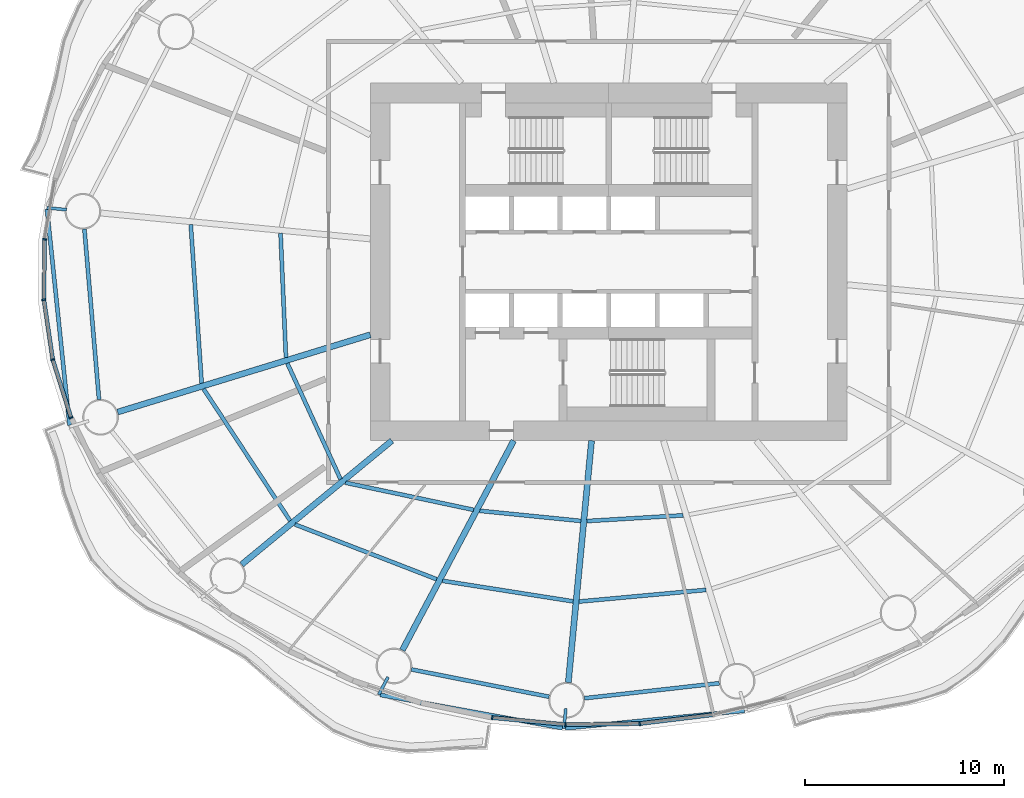
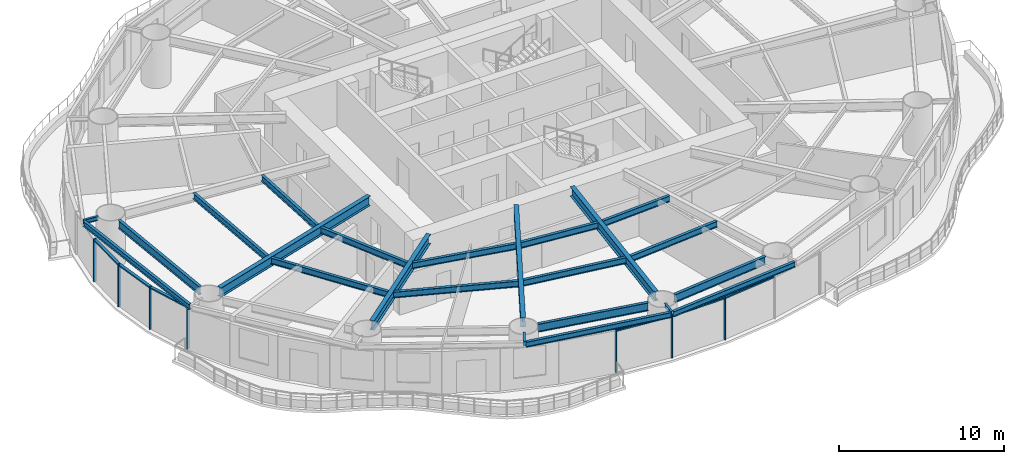
# One storey, part 2 of 16: 23 beams, 13 members, 6 elements without a shape of their own.
"""IFC4 building model written with IfcOpenShell, lengths in metres."""

from ifc_helpers import new_model, si_unit, direction, frame, origin, origin_2d, place, context, subcontext, project, spatial, rectangle, i_section, extrude, material, material_profile, profile_set, type_object, element, aggregate, save


model = new_model("IFC4")

# Units and contexts
model_context = context("Model", 3, precision=1e-05, world=origin(), true_north=direction((0.0, 1.0)))
body_context = subcontext(model_context, "Body", "Model", "MODEL_VIEW")
ifc_project = project(units=[si_unit("LENGTHUNIT", "METRE"), si_unit("AREAUNIT", "SQUARE_METRE"), si_unit("VOLUMEUNIT", "CUBIC_METRE"), si_unit("PLANEANGLEUNIT", "RADIAN"), si_unit("MASSUNIT", "GRAM", prefix="KILO")], contexts=[model_context])

# Site, building, storey
site_placement = place(None, origin())
site = spatial("IfcSite", under=ifc_project, at=site_placement, CompositionType="ELEMENT")
building_placement = place(site_placement, origin())
building = spatial("IfcBuilding", under=site, at=building_placement, Name="Vermilion Reach Broadcast Tower", CompositionType="ELEMENT")
storey_placement = place(building_placement, frame((0.0, 0.0, 50.800048828125)))
storey = spatial("IfcBuildingStorey", under=building, at=storey_placement, Name="L09", CompositionType="ELEMENT", Elevation=50.800048828125)

# Beams
ifc_material_1 = material(Name="Steel S355J2", Category="steel")
ifc_material_profile_1 = material_profile(ifc_material_1, i_section(OverallWidth=0.199951171875, OverallDepth=0.39990234375, WebThickness=0.008056640625, FlangeThickness=0.012939453125, at=origin_2d()), Name="S355J2 HN 400x200x8x13")
ifc_profile_set_1 = profile_set([ifc_material_profile_1], Name="Steel S355J2")
beam_type_1 = type_object("IfcBeamType", Name="EB1 HN 400x200x8x13", PredefinedType="BEAM", material=ifc_profile_set_1)
beam_1_placement = place(storey_placement, frame((-34.27099609375, 2.641845703125, 3.349853515625), z_axis=(0.10387737547, -0.994590111989, 0.0), x_axis=(0.994590111989, 0.10387737547, 0.0)))
element("IfcBeam", 1, at=beam_1_placement, inside=storey, type_object=beam_type_1, Name="Edge beam EB1-08", PredefinedType="BEAM", context=body_context, shape_type="SweptSolid", body=[
    extrude(i_section(OverallWidth=0.199951171875, OverallDepth=0.39990234375, WebThickness=0.008056640625, FlangeThickness=0.012939453125, at=origin_2d()), origin(), (0.0, 0.0, 1.0), 10.924072265625),
])
beam_2_placement = place(storey_placement, frame((-17.5, -21.797119140625, 3.349853515625), z_axis=(0.983788498434, -0.179332624888, 0.0), x_axis=(0.179332624888, 0.983788498434, 0.0)))
element("IfcBeam", 2, at=beam_2_placement, inside=storey, type_object=beam_type_1, Name="Edge beam EB1-11", PredefinedType="BEAM", context=body_context, shape_type="SweptSolid", body=[
    extrude(i_section(OverallWidth=0.199951171875, OverallDepth=0.39990234375, WebThickness=0.008056640625, FlangeThickness=0.012939453125, at=origin_2d()), origin(), (0.0, 0.0, 1.0), 9.320068359375),
])
beam_3_placement = place(storey_placement, frame((-8.180908203125, -23.474609375, 3.349853515625), z_axis=(0.995240835219, 0.097445779348, 0.0), x_axis=(-0.097445779348, 0.995240835219, 0.0)))
element("IfcBeam", 3, at=beam_3_placement, inside=storey, type_object=beam_type_1, Name="Edge beam EB1-12", PredefinedType="BEAM", context=body_context, shape_type="SweptSolid", body=[
    extrude(i_section(OverallWidth=0.199951171875, OverallDepth=0.39990234375, WebThickness=0.008056640625, FlangeThickness=0.012939453125, at=origin_2d()), origin(), (0.0, 0.0, 1.0), 9.05712890625),
])
ifc_material_2 = material(Name="Steel S355J2", Category="steel")
ifc_material_profile_2 = material_profile(ifc_material_2, i_section(OverallWidth=0.300048828125, OverallDepth=0.699951171875, WebThickness=0.012939453125, FlangeThickness=0.02392578125, at=origin_2d()), Name="S355J2 HN 700x300x13x24")
ifc_profile_set_2 = profile_set([ifc_material_profile_2], Name="Steel S355J2")
beam_type_2 = type_object("IfcBeamType", Name="G1 HN 700x300x13x24", PredefinedType="BEAM", material=ifc_profile_set_2)
beam_4_placement = place(storey_placement, frame((-18.0, -3.671142578125, 3.199951171875), z_axis=(-0.956255735186, -0.292531996409, 0.0), x_axis=(0.292531996409, -0.956255735186, 0.0)))
element("IfcBeam", 4, at=beam_4_placement, inside=storey, type_object=beam_type_2, Name="Girder G1-09", PredefinedType="BEAM", context=body_context, shape_type="SweptSolid", body=[
    extrude(i_section(OverallWidth=0.300048828125, OverallDepth=0.699951171875, WebThickness=0.012939453125, FlangeThickness=0.02392578125, at=origin_2d()), origin(), (0.0, 0.0, 1.0), 13.29638671875),
])
beam_5_placement = place(storey_placement, frame((-16.9140625, -9.0, 3.199951171875), z_axis=(-0.771514256373, -0.636212034005, 0.0), x_axis=(0.636212034005, -0.771514256373, 0.0)))
element("IfcBeam", 5, at=beam_5_placement, inside=storey, type_object=beam_type_2, Name="Girder G1-10", PredefinedType="BEAM", context=body_context, shape_type="SweptSolid", body=[
    extrude(i_section(OverallWidth=0.300048828125, OverallDepth=0.699951171875, WebThickness=0.012939453125, FlangeThickness=0.02392578125, at=origin_2d()), origin(), (0.0, 0.0, 1.0), 9.796142578125),
])
beam_6_placement = place(storey_placement, frame((-10.783447265625, -9.0, 3.199951171875), z_axis=(-0.469312182262, -0.883032318537, 0.0), x_axis=(0.883032318537, -0.469312182262, 0.0)))
element("IfcBeam", 6, at=beam_6_placement, inside=storey, type_object=beam_type_2, Name="Girder G1-11", PredefinedType="BEAM", context=body_context, shape_type="SweptSolid", body=[
    extrude(i_section(OverallWidth=0.300048828125, OverallDepth=0.699951171875, WebThickness=0.012939453125, FlangeThickness=0.02392578125, at=origin_2d()), origin(), (0.0, 0.0, 1.0), 11.94091796875),
])
beam_7_placement = place(storey_placement, frame((-6.864990234375, -9.0, 3.199951171875), z_axis=(-0.09566673912, -0.995413419151, 0.0), x_axis=(0.995413419151, -0.09566673912, 0.0)))
element("IfcBeam", 7, at=beam_7_placement, inside=storey, type_object=beam_type_2, Name="Girder G1-12", PredefinedType="BEAM", context=body_context, shape_type="SweptSolid", body=[
    extrude(i_section(OverallWidth=0.300048828125, OverallDepth=0.699951171875, WebThickness=0.012939453125, FlangeThickness=0.02392578125, at=origin_2d()), origin(), (0.0, 0.0, 1.0), 12.22412109375),
])
ifc_material_3 = material(Name="Steel S355J2", Category="steel")
ifc_material_profile_3 = material_profile(ifc_material_3, i_section(OverallWidth=0.14990234375, OverallDepth=0.300048828125, WebThickness=0.006591796875, FlangeThickness=0.009033203125, at=origin_2d()), Name="S355J2 HN 300x150x6.5x9")
ifc_profile_set_3 = profile_set([ifc_material_profile_3], Name="Steel S355J2")
beam_type_3 = type_object("IfcBeamType", Name="GS1 HN 300x150x6.5x9", PredefinedType="BEAM", material=ifc_profile_set_3)
for number, where, z_axis, x_axis, name in (
    (8, (-33.283447265625, 2.622314453125, 3.39990234375), (-0.995409476419, 0.095707754417, 0.0), (-0.095707754417, -0.995409476419, 0.0), "Cantilever stub GS1-08"),
    (9, (-17.108154296875, -20.89990234375, 3.39990234375), (-0.469244476458, -0.883068299348, 0.0), (0.883068299348, -0.469244476458, 0.0), "Cantilever stub GS1-11"),
    (10, (-8.1611328125, -22.486572265625, 3.39990234375), (-0.095707754417, -0.995409476419, 0.0), (0.995409476419, -0.095707754417, 0.0), "Cantilever stub GS1-12"),
):
    element("IfcBeam", number, at=place(storey_placement, frame(where, z_axis=z_axis, x_axis=x_axis)), inside=storey, type_object=beam_type_3, Name=name, PredefinedType="BEAM", context=body_context, shape_type="SweptSolid", body=[
        extrude(i_section(OverallWidth=0.14990234375, OverallDepth=0.300048828125, WebThickness=0.006591796875, FlangeThickness=0.009033203125, at=origin_2d()), origin(), (0.0, 0.0, 1.0), 1.0),
    ])
ifc_material_4 = material(Name="Steel S355J2", Category="steel")
ifc_material_profile_4 = material_profile(ifc_material_4, i_section(OverallWidth=0.199951171875, OverallDepth=0.60009765625, WebThickness=0.010986328125, FlangeThickness=0.01708984375, at=origin_2d()), Name="S355J2 HN 600x200x11x17")
ifc_profile_set_4 = profile_set([ifc_material_profile_4], Name="Steel S355J2")
beam_type_4 = type_object("IfcBeamType", Name="RB1 HN 600x200x11x17", PredefinedType="BEAM", material=ifc_profile_set_4)
beam_8_placement = place(storey_placement, frame((-32.38720703125, 1.646728515625, 3.25), z_axis=(0.085395508608, -0.996347131832, 0.0), x_axis=(0.996347131832, 0.085395508608, 0.0)))
element("IfcBeam", 11, at=beam_8_placement, inside=storey, type_object=beam_type_4, Name="Ring beam RB1-08", PredefinedType="BEAM", context=body_context, shape_type="SweptSolid", body=[
    extrude(i_section(OverallWidth=0.199951171875, OverallDepth=0.60009765625, WebThickness=0.010986328125, FlangeThickness=0.01708984375, at=origin_2d()), origin(), (0.0, 0.0, 1.0), 8.60546875),
])
beam_9_placement = place(storey_placement, frame((-15.927001953125, -20.51416015625, 3.25), z_axis=(0.980857717995, -0.194725799651, 0.0), x_axis=(0.194725799651, 0.980857717995, 0.0)))
element("IfcBeam", 12, at=beam_9_placement, inside=storey, type_object=beam_type_4, Name="Ring beam RB1-11", PredefinedType="BEAM", context=body_context, shape_type="SweptSolid", body=[
    extrude(i_section(OverallWidth=0.199951171875, OverallDepth=0.60009765625, WebThickness=0.010986328125, FlangeThickness=0.01708984375, at=origin_2d()), origin(), (0.0, 0.0, 1.0), 7.05859375),
])
beam_10_placement = place(storey_placement, frame((-7.22607421875, -21.964111328125, 3.25), z_axis=(0.993851439324, 0.110721798009, 0.0), x_axis=(-0.110721798009, 0.993851439324, 0.0)))
element("IfcBeam", 13, at=beam_10_placement, inside=storey, type_object=beam_type_4, Name="Ring beam RB1-12", PredefinedType="BEAM", context=body_context, shape_type="SweptSolid", body=[
    extrude(i_section(OverallWidth=0.199951171875, OverallDepth=0.60009765625, WebThickness=0.010986328125, FlangeThickness=0.01708984375, at=origin_2d()), origin(), (0.0, 0.0, 1.0), 6.8310546875),
])
ifc_material_5 = material(Name="Steel S355J2", Category="steel")
ifc_material_profile_5 = material_profile(ifc_material_5, i_section(OverallWidth=0.199951171875, OverallDepth=0.449951171875, WebThickness=0.009033203125, FlangeThickness=0.013916015625, at=origin_2d()), Name="S355J2 HN 450x200x9x14")
ifc_profile_set_5 = profile_set([ifc_material_profile_5], Name="Steel S355J2")
beam_type_5 = type_object("IfcBeamType", Name="SB1 HN 450x200x9x14", PredefinedType="BEAM", material=ifc_profile_set_5)
beam_11_placement = place(storey_placement, frame((-22.51611328125, 1.436767578125, 3.324951171875), z_axis=(0.043361007512, -0.999059469215, 0.0), x_axis=(0.999059469215, 0.043361007512, 0.0)))
element("IfcBeam", 14, at=beam_11_placement, inside=storey, type_object=beam_type_5, Name="Secondary beam SB1-08-1", PredefinedType="BEAM", context=body_context, shape_type="SweptSolid", body=[
    extrude(i_section(OverallWidth=0.199951171875, OverallDepth=0.449951171875, WebThickness=0.009033203125, FlangeThickness=0.013916015625, at=origin_2d()), origin(), (0.0, 0.0, 1.0), 6.25537109375),
])
beam_12_placement = place(storey_placement, frame((-27.03515625, 1.87109375, 3.324951171875), z_axis=(0.068507801475, -0.997650580683, 0.0), x_axis=(0.997650580683, 0.068507801475, 0.0)))
element("IfcBeam", 15, at=beam_12_placement, inside=storey, type_object=beam_type_5, Name="Secondary beam SB1-08-2", PredefinedType="BEAM", context=body_context, shape_type="SweptSolid", body=[
    extrude(i_section(OverallWidth=0.199951171875, OverallDepth=0.449951171875, WebThickness=0.009033203125, FlangeThickness=0.013916015625, at=origin_2d()), origin(), (0.0, 0.0, 1.0), 8.00048828125),
])
beam_13_placement = place(storey_placement, frame((-22.175048828125, -5.105224609375, 3.324951171875), z_axis=(0.417211452529, -0.908809443106, 0.0), x_axis=(0.908809443106, 0.417211452529, 0.0)))
element("IfcBeam", 16, at=beam_13_placement, inside=storey, type_object=beam_type_5, Name="Secondary beam SB1-09-1", PredefinedType="BEAM", context=body_context, shape_type="SweptSolid", body=[
    extrude(i_section(OverallWidth=0.199951171875, OverallDepth=0.449951171875, WebThickness=0.009033203125, FlangeThickness=0.013916015625, at=origin_2d()), origin(), (0.0, 0.0, 1.0), 6.41650390625),
])
beam_14_placement = place(storey_placement, frame((-26.390625, -6.394775390625, 3.324951171875), z_axis=(0.548800909102, -0.835953086105, 0.0), x_axis=(0.835953086105, 0.548800909102, 0.0)))
element("IfcBeam", 17, at=beam_14_placement, inside=storey, type_object=beam_type_5, Name="Secondary beam SB1-09-2", PredefinedType="BEAM", context=body_context, shape_type="SweptSolid", body=[
    extrude(i_section(OverallWidth=0.199951171875, OverallDepth=0.449951171875, WebThickness=0.009033203125, FlangeThickness=0.013916015625, at=origin_2d()), origin(), (0.0, 0.0, 1.0), 7.935791015625),
])
beam_15_placement = place(storey_placement, frame((-19.24560546875, -11.1171875, 3.324951171875), z_axis=(0.978270372412, -0.207333254596, 0.0), x_axis=(0.207333254596, 0.978270372412, 0.0)))
element("IfcBeam", 18, at=beam_15_placement, inside=storey, type_object=beam_type_5, Name="Secondary beam SB1-10-1", PredefinedType="BEAM", context=body_context, shape_type="SweptSolid", body=[
    extrude(i_section(OverallWidth=0.199951171875, OverallDepth=0.449951171875, WebThickness=0.009033203125, FlangeThickness=0.013916015625, at=origin_2d()), origin(), (0.0, 0.0, 1.0), 6.584716796875),
])
beam_16_placement = place(storey_placement, frame((-21.7919921875, -13.217041015625, 3.324951171875), z_axis=(0.932680743753, -0.360702966765, 0.0), x_axis=(0.360702966765, 0.932680743753, 0.0)))
element("IfcBeam", 19, at=beam_16_placement, inside=storey, type_object=beam_type_5, Name="Secondary beam SB1-10-2", PredefinedType="BEAM", context=body_context, shape_type="SweptSolid", body=[
    extrude(i_section(OverallWidth=0.199951171875, OverallDepth=0.449951171875, WebThickness=0.009033203125, FlangeThickness=0.013916015625, at=origin_2d()), origin(), (0.0, 0.0, 1.0), 7.646240234375),
])
beam_17_placement = place(storey_placement, frame((-12.490234375, -12.531005859375, 3.324951171875), z_axis=(0.995010199331, -0.099773259079, 0.0), x_axis=(0.099773259079, 0.995010199331, 0.0)))
element("IfcBeam", 20, at=beam_17_placement, inside=storey, type_object=beam_type_5, Name="Secondary beam SB1-11-1", PredefinedType="BEAM", context=body_context, shape_type="SweptSolid", body=[
    extrude(i_section(OverallWidth=0.199951171875, OverallDepth=0.449951171875, WebThickness=0.009033203125, FlangeThickness=0.013916015625, at=origin_2d()), origin(), (0.0, 0.0, 1.0), 5.111572265625),
])
beam_18_placement = place(storey_placement, frame((-14.36279296875, -16.05419921875, 3.324951171875), z_axis=(0.987829548379, -0.155540294938, 0.0), x_axis=(0.155540294938, 0.987829548379, 0.0)))
element("IfcBeam", 21, at=beam_18_placement, inside=storey, type_object=beam_type_5, Name="Secondary beam SB1-11-2", PredefinedType="BEAM", context=body_context, shape_type="SweptSolid", body=[
    extrude(i_section(OverallWidth=0.199951171875, OverallDepth=0.449951171875, WebThickness=0.009033203125, FlangeThickness=0.013916015625, at=origin_2d()), origin(), (0.0, 0.0, 1.0), 6.650634765625),
])
beam_19_placement = place(storey_placement, frame((-7.103271484375, -13.046875, 3.324951171875), z_axis=(0.99823410974, 0.059402543307, 0.0), x_axis=(-0.059402543307, 0.99823410974, 0.0)))
element("IfcBeam", 22, at=beam_19_placement, inside=storey, type_object=beam_type_5, Name="Secondary beam SB1-12-1", PredefinedType="BEAM", context=body_context, shape_type="SweptSolid", body=[
    extrude(i_section(OverallWidth=0.199951171875, OverallDepth=0.449951171875, WebThickness=0.009033203125, FlangeThickness=0.013916015625, at=origin_2d()), origin(), (0.0, 0.0, 1.0), 4.85791015625),
])
beam_20_placement = place(storey_placement, frame((-7.49267578125, -17.09814453125, 3.324951171875), z_axis=(0.995818616382, 0.091352521952, 0.0), x_axis=(-0.091352521952, 0.995818616382, 0.0)))
element("IfcBeam", 23, at=beam_20_placement, inside=storey, type_object=beam_type_5, Name="Secondary beam SB1-12-2", PredefinedType="BEAM", context=body_context, shape_type="SweptSolid", body=[
    extrude(i_section(OverallWidth=0.199951171875, OverallDepth=0.449951171875, WebThickness=0.009033203125, FlangeThickness=0.013916015625, at=origin_2d()), origin(), (0.0, 0.0, 1.0), 6.4140625),
])

# Curtain wall, member
ifc_material_6 = material(Name="Low-e laminated clear glass in aluminium frame", Category="aluminium")
curtain_wall_type = type_object("IfcCurtainWallType", Name="Slot curtain wall", PredefinedType="NOTDEFINED", material=ifc_material_6)
placement = place(storey_placement, origin())
curtain_wall_1 = element("IfcCurtainWall", 24, at=placement, inside=storey, type_object=curtain_wall_type, Name="Slot curtain wall L09 23", PredefinedType="NOTDEFINED")
ifc_material_7 = material(Name="Anodised aluminium", Category="aluminium")
ifc_material_profile_6 = material_profile(ifc_material_7, rectangle(XDim=0.199951171875, YDim=0.080078125, at=origin_2d()), Name="Slot mullion 80 x 200")
ifc_profile_set_6 = profile_set([ifc_material_profile_6], Name="Anodised aluminium")
member_type_1 = type_object("IfcMemberType", Name="Slot mullion 80 x 200", PredefinedType="MULLION", material=ifc_profile_set_6)
member_1_placement = place(storey_placement, frame((-34.387939453125, 1.13330078125, 0.0), z_axis=(0.0, 0.0, 1.0), x_axis=(0.995774723527, -0.091829733667, 0.0)))
member_1 = element("IfcMember", 25, at=member_1_placement, type_object=member_type_1, Name="Slot mullion L09 23", PredefinedType="MULLION", context=body_context, shape_type="SweptSolid", body=[
    extrude(rectangle(XDim=0.199951171875, YDim=0.080078125, at=origin_2d()), origin(), (0.0, 0.0, 1.0), 3.14990234375),
])

curtain_wall_2 = element("IfcCurtainWall", 26, at=placement, inside=storey, type_object=curtain_wall_type, Name="Slot curtain wall L09 24", PredefinedType="NOTDEFINED")
member_2_placement = place(storey_placement, frame((-34.4267578125, -1.907958984375, 0.0), z_axis=(0.0, 0.0, 1.0), x_axis=(0.997754956247, 0.066970495622, 0.0)))
member_2 = element("IfcMember", 27, at=member_2_placement, type_object=member_type_1, Name="Slot mullion L09 24", PredefinedType="MULLION", context=body_context, shape_type="SweptSolid", body=[
    extrude(rectangle(XDim=0.199951171875, YDim=0.080078125, at=origin_2d()), origin(), (0.0, 0.0, 1.0), 3.14990234375),
])

# Curtain wall, members
curtain_wall_3 = element("IfcCurtainWall", 28, at=placement, inside=storey, type_object=curtain_wall_type, Name="Slot curtain wall L09 25", PredefinedType="NOTDEFINED")
member_3_placement = place(storey_placement, frame((-33.981689453125, -4.916748046875, 0.0), z_axis=(0.0, 0.0, 1.0), x_axis=(0.97457039533, 0.224081557801, 0.0)))
member_3 = element("IfcMember", 29, at=member_3_placement, type_object=member_type_1, Name="Slot mullion L09 25", PredefinedType="MULLION", context=body_context, shape_type="SweptSolid", body=[
    extrude(rectangle(XDim=0.199951171875, YDim=0.080078125, at=origin_2d()), origin(), (0.0, 0.0, 1.0), 3.14990234375),
])
member_4_placement = place(storey_placement, frame((-33.06005859375, -7.8427734375, 0.0), z_axis=(0.0, 0.0, 1.0), x_axis=(0.92774879959, 0.373205258348, 0.0)))
member_4 = element("IfcMember", 30, at=member_4_placement, type_object=member_type_1, Name="Slot mullion L09 26", PredefinedType="MULLION", context=body_context, shape_type="SweptSolid", body=[
    extrude(rectangle(XDim=0.199951171875, YDim=0.080078125, at=origin_2d()), origin(), (0.0, 0.0, 1.0), 3.14990234375),
])

# Curtain wall, member
curtain_wall_4 = element("IfcCurtainWall", 31, at=placement, inside=storey, type_object=curtain_wall_type, Name="Slot curtain wall L09 34", PredefinedType="NOTDEFINED")
member_5_placement = place(storey_placement, frame((-11.8642578125, -22.939697265625, 0.0), z_axis=(0.0, 0.0, 1.0), x_axis=(0.148862346539, 0.988857928007, 0.0)))
member_5 = element("IfcMember", 32, at=member_5_placement, type_object=member_type_1, Name="Slot mullion L09 34", PredefinedType="MULLION", context=body_context, shape_type="SweptSolid", body=[
    extrude(rectangle(XDim=0.199951171875, YDim=0.080078125, at=origin_2d()), origin(), (0.0, 0.0, 1.0), 3.14990234375),
])

curtain_wall_5 = element("IfcCurtainWall", 33, at=placement, inside=storey, type_object=curtain_wall_type, Name="Slot curtain wall L09 35", PredefinedType="NOTDEFINED")
member_6_placement = place(storey_placement, frame((-8.1708984375, -23.2900390625, 0.0), z_axis=(0.0, 0.0, 1.0), x_axis=(0.040584070495, 0.999176127228, 0.0)))
member_6 = element("IfcMember", 34, at=member_6_placement, type_object=member_type_1, Name="Slot mullion L09 35", PredefinedType="MULLION", context=body_context, shape_type="SweptSolid", body=[
    extrude(rectangle(XDim=0.199951171875, YDim=0.080078125, at=origin_2d()), origin(), (0.0, 0.0, 1.0), 3.14990234375),
])

curtain_wall_6 = element("IfcCurtainWall", 35, at=placement, inside=storey, type_object=curtain_wall_type, Name="Slot curtain wall L09 36", PredefinedType="NOTDEFINED")
member_7_placement = place(storey_placement, frame((-4.440185546875, -23.240234375, 0.0), z_axis=(0.0, 0.0, 1.0), x_axis=(-0.066970553298, 0.997754952376, 0.0)))
member_7 = element("IfcMember", 36, at=member_7_placement, type_object=member_type_1, Name="Slot mullion L09 36", PredefinedType="MULLION", context=body_context, shape_type="SweptSolid", body=[
    extrude(rectangle(XDim=0.199951171875, YDim=0.080078125, at=origin_2d()), origin(), (0.0, 0.0, 1.0), 3.14990234375),
])

# Member
ifc_material_8 = material(Name="Anodised aluminium", Category="aluminium")
ifc_material_profile_7 = material_profile(ifc_material_8, rectangle(XDim=0.199951171875, YDim=0.10009765625, at=origin_2d()), Name="Slot transom 200 x 100")
ifc_profile_set_7 = profile_set([ifc_material_profile_7], Name="Anodised aluminium")
member_type_2 = type_object("IfcMemberType", Name="Slot transom 200 x 100", PredefinedType="USERDEFINED", material=ifc_profile_set_7)
member_8_placement = place(storey_placement, frame((-34.388427734375, 1.09326171875, 3.099853515625), z_axis=(-0.01277719267, -0.999918368342, 0.0), x_axis=(0.999918368342, -0.01277719267, 0.0)))
member_8 = element("IfcMember", 37, at=member_8_placement, type_object=member_type_2, Name="Slot transom L09 23.1", ObjectType="TRANSOM", PredefinedType="USERDEFINED", context=body_context, shape_type="SweptSolid", body=[
    extrude(rectangle(XDim=0.199951171875, YDim=0.10009765625, at=origin_2d()), origin(), (0.0, 0.0, 1.0), 2.961669921875),
])

aggregate(curtain_wall_1, [member_1, member_8])

member_9_placement = place(storey_placement, frame((-34.4208984375, -1.947509765625, 3.099853515625), z_axis=(0.146324585274, -0.989236632836, 0.0), x_axis=(0.989236632836, 0.146324585274, 0.0)))
member_9 = element("IfcMember", 38, at=member_9_placement, type_object=member_type_2, Name="Slot transom L09 24.1", ObjectType="TRANSOM", PredefinedType="USERDEFINED", context=body_context, shape_type="SweptSolid", body=[
    extrude(rectangle(XDim=0.199951171875, YDim=0.10009765625, at=origin_2d()), origin(), (0.0, 0.0, 1.0), 2.961669921875),
])

aggregate(curtain_wall_2, [member_2, member_9])

member_10_placement = place(storey_placement, frame((-33.9697265625, -4.955078125, 3.099853515625), z_axis=(0.300470362039, -0.953791151949, 0.0), x_axis=(0.953791151949, 0.300470362039, 0.0)))
member_10 = element("IfcMember", 39, at=member_10_placement, type_object=member_type_2, Name="Slot transom L09 25.1", ObjectType="TRANSOM", PredefinedType="USERDEFINED", context=body_context, shape_type="SweptSolid", body=[
    extrude(rectangle(XDim=0.199951171875, YDim=0.10009765625, at=origin_2d()), origin(), (0.0, 0.0, 1.0), 2.987548828125),
])

aggregate(curtain_wall_3, [member_3, member_4, member_10])

member_11_placement = place(storey_placement, frame((-11.82421875, -22.943603515625, 3.099853515625), z_axis=(0.995537394364, -0.094367878136, 0.0), x_axis=(0.094367878136, 0.995537394364, 0.0)))
member_11 = element("IfcMember", 40, at=member_11_placement, type_object=member_type_2, Name="Slot transom L09 34.1", ObjectType="TRANSOM", PredefinedType="USERDEFINED", context=body_context, shape_type="SweptSolid", body=[
    extrude(rectangle(XDim=0.199951171875, YDim=0.10009765625, at=origin_2d()), origin(), (0.0, 0.0, 1.0), 3.629638671875),
])

aggregate(curtain_wall_4, [member_5, member_11])

member_12_placement = place(storey_placement, frame((-8.130859375, -23.28955078125, 3.099853515625), z_axis=(0.999910575404, 0.013373152005, 0.0), x_axis=(-0.013373152005, 0.999910575404, 0.0)))
member_12 = element("IfcMember", 41, at=member_12_placement, type_object=member_type_2, Name="Slot transom L09 35.1", ObjectType="TRANSOM", PredefinedType="USERDEFINED", context=body_context, shape_type="SweptSolid", body=[
    extrude(rectangle(XDim=0.199951171875, YDim=0.10009765625, at=origin_2d()), origin(), (0.0, 0.0, 1.0), 3.651123046875),
])

aggregate(curtain_wall_5, [member_6, member_12])

member_13_placement = place(storey_placement, frame((-4.400390625, -23.2353515625, 3.099853515625), z_axis=(0.992729908592, 0.120363319107, 0.0), x_axis=(-0.120363319107, 0.992729908592, 0.0)))
member_13 = element("IfcMember", 42, at=member_13_placement, type_object=member_type_2, Name="Slot transom L09 36.1", ObjectType="TRANSOM", PredefinedType="USERDEFINED", context=body_context, shape_type="SweptSolid", body=[
    extrude(rectangle(XDim=0.199951171875, YDim=0.10009765625, at=origin_2d()), origin(), (0.0, 0.0, 1.0), 3.651123046875),
])

aggregate(curtain_wall_6, [member_7, member_13])

save(model, "model.ifc")
